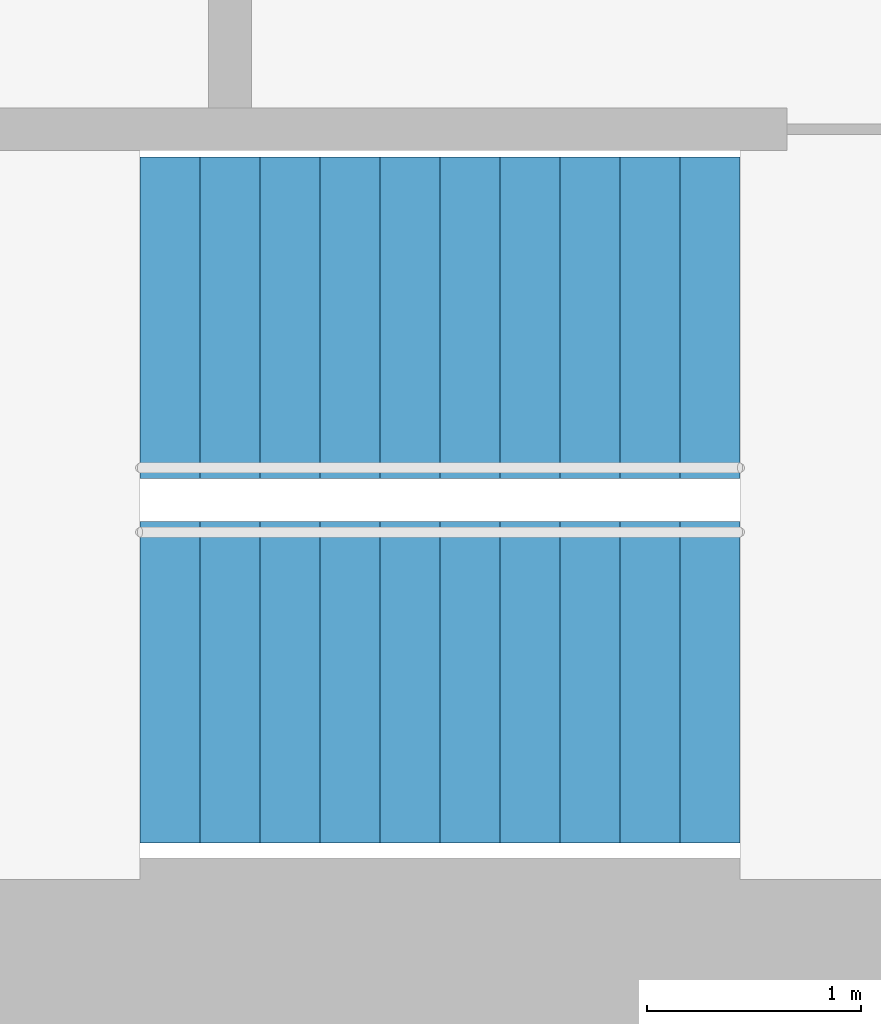
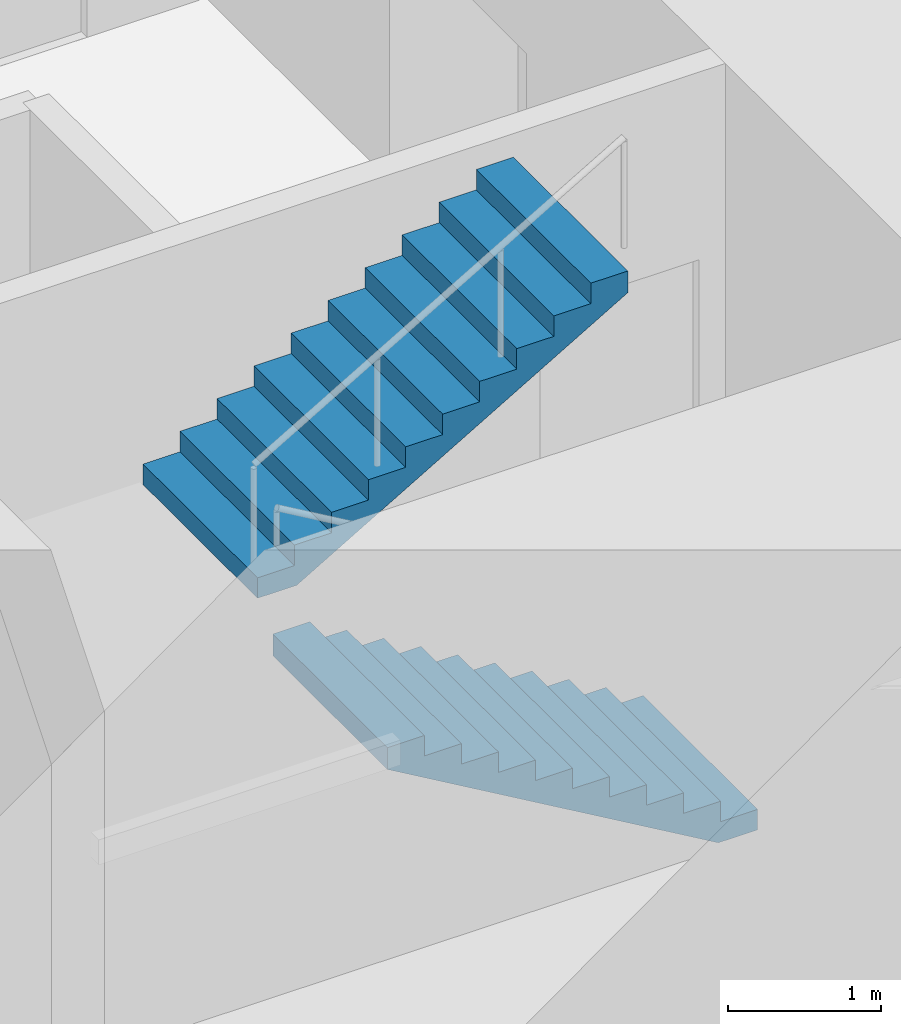
# One storey, part 14 of 15: 2 stair flights, 1 element without a shape of its own.
"""IFC4 building model written with IfcOpenShell, lengths in metres."""

from ifc_helpers import new_model, si_unit, direction, frame, origin, place, context, subcontext, project, spatial, triangles, material, type_object, element, aggregate, save


model = new_model("IFC4")

# Units and contexts
model_context = context("Model", 3, precision=1e-05, world=origin(), true_north=direction((0.0, 1.0)))
body_context = subcontext(model_context, "Body", "Model", "MODEL_VIEW")
ifc_project = project(units=[si_unit("LENGTHUNIT", "METRE"), si_unit("AREAUNIT", "SQUARE_METRE"), si_unit("VOLUMEUNIT", "CUBIC_METRE"), si_unit("PLANEANGLEUNIT", "RADIAN"), si_unit("MASSUNIT", "GRAM", prefix="KILO")], contexts=[model_context])

# Site, building, storey
site_placement = place(None, origin())
site = spatial("IfcSite", under=ifc_project, at=site_placement, CompositionType="ELEMENT")
building_placement = place(site_placement, origin())
building = spatial("IfcBuilding", under=site, at=building_placement, Name="Lantaw Convention Tower", CompositionType="ELEMENT")
storey_placement = place(building_placement, frame((0.0, 0.0, 83.800048828125)))
storey = spatial("IfcBuildingStorey", under=building, at=storey_placement, Name="L19", CompositionType="ELEMENT", Elevation=83.800048828125)

# Stair, stair flights
ifc_material = material(Name="Concrete C35/45", Category="concrete")
stair_type = type_object("IfcStairType", Name="Exit stair 1500 riser 163.64 in 2 flights", PredefinedType="HALF_TURN_STAIR", material=ifc_material)
stair_placement = place(storey_placement, origin())
stair = element("IfcStair", 1, at=stair_placement, inside=storey, type_object=stair_type, Name="Exit stair S2 L19", PredefinedType="HALF_TURN_STAIR")
stair_flight_type = type_object("IfcStairFlightType", Name="Stair flight 1500 riser 163.64", PredefinedType="STRAIGHT", material=ifc_material)
stair_flight_1_placement = place(storey_placement, frame((10.580078125, -5.97998046875, 0.0), z_axis=(0.0, 0.0, 1.0), x_axis=(-1.0, 0.0, 0.0)))
stair_flight_1 = element("IfcStairFlight", 2, at=stair_flight_1_placement, type_object=stair_flight_type, Name="S2 flight 1", NumberOfRisers=11, NumberOfTreads=10, PredefinedType="STRAIGHT", RiserHeight=0.163636364, TreadLength=0.28, context=body_context, shape_type="Tessellation", body=[
    triangles([(0.0, 0.75, 0.0), (0.0, 0.75, 0.163636364), (0.28, 0.75, 0.0), (0.28, 0.75, 0.163636364), (0.28, 0.75, 0.327272728), (0.2970904571225277, 0.75, 0.0), (0.2970904571225277, 0.75, 0.327272728), (0.56, 0.75, 0.1536484344906131), (0.56, 0.75, 0.327272728), (0.56, 0.75, 0.490909092), (0.8400000000000001, 0.75, 0.3172847984906131), (0.8400000000000001, 0.75, 0.490909092), (0.8400000000000001, 0.75, 0.654545456), (1.12, 0.75, 0.4809211624906131), (1.12, 0.75, 0.654545456), (1.12, 0.75, 0.8181818200000001), (1.4000000000000001, 0.75, 0.6445575264906132), (1.4000000000000001, 0.75, 0.8181818200000001), (1.4000000000000001, 0.75, 0.981818184), (1.6800000000000002, 0.75, 0.8081938904906131), (1.6800000000000002, 0.75, 0.981818184), (1.6800000000000002, 0.75, 1.145454548), (1.9600000000000002, 0.75, 0.9718302544906131), (1.9600000000000002, 0.75, 1.145454548), (1.9600000000000002, 0.75, 1.309090912), (2.24, 0.75, 1.135466618490613), (2.24, 0.75, 1.309090912), (2.24, 0.75, 1.472727276), (2.5200000000000005, 0.75, 1.2991029824906133), (2.5200000000000005, 0.75, 1.472727276), (2.5200000000000005, 0.75, 1.6363636400000001), (2.8000000000000003, 0.75, 1.462739346490613), (2.8000000000000003, 0.75, 1.6363636400000001), (0.0, -0.75, 0.0), (0.0, -0.75, 0.163636364), (0.28, -0.75, 0.0), (0.28, -0.75, 0.163636364), (0.28, -0.75, 0.327272728), (0.2970904571225277, -0.75, 0.0), (0.2970904571225277, -0.75, 0.327272728), (0.56, -0.75, 0.1536484344906131), (0.56, -0.75, 0.327272728), (0.56, -0.75, 0.490909092), (0.8400000000000001, -0.75, 0.3172847984906131), (0.8400000000000001, -0.75, 0.490909092), (0.8400000000000001, -0.75, 0.654545456), (1.12, -0.75, 0.4809211624906131), (1.12, -0.75, 0.654545456), (1.12, -0.75, 0.8181818200000001), (1.4000000000000001, -0.75, 0.6445575264906132), (1.4000000000000001, -0.75, 0.8181818200000001), (1.4000000000000001, -0.75, 0.981818184), (1.6800000000000002, -0.75, 0.8081938904906131), (1.6800000000000002, -0.75, 0.981818184), (1.6800000000000002, -0.75, 1.145454548), (1.9600000000000002, -0.75, 0.9718302544906131), (1.9600000000000002, -0.75, 1.145454548), (1.9600000000000002, -0.75, 1.309090912), (2.24, -0.75, 1.135466618490613), (2.24, -0.75, 1.309090912), (2.24, -0.75, 1.472727276), (2.5200000000000005, -0.75, 1.2991029824906133), (2.5200000000000005, -0.75, 1.472727276), (2.5200000000000005, -0.75, 1.6363636400000001), (2.8000000000000003, -0.75, 1.462739346490613), (2.8000000000000003, -0.75, 1.6363636400000001), (0.0, 0.15000000000000002, 0.163636364), (0.0, 0.15000000000000002, 0.0), (0.0, 0.0, 0.163636364), (0.0, 0.0, 0.0), (0.0, -0.15000000000000002, 0.163636364), (0.0, -0.15000000000000002, 0.0), (0.28, 0.15000000000000002, 0.327272728), (0.28, 0.15000000000000002, 0.163636364), (0.28, 0.0, 0.327272728), (0.28, 0.0, 0.163636364), (0.28, -0.15000000000000002, 0.327272728), (0.28, -0.15000000000000002, 0.163636364), (0.56, 0.15000000000000002, 0.490909092), (0.56, 0.15000000000000002, 0.327272728), (0.56, 0.0, 0.490909092), (0.56, 0.0, 0.327272728), (0.56, -0.15000000000000002, 0.490909092), (0.56, -0.15000000000000002, 0.327272728), (0.8400000000000001, 0.15000000000000002, 0.654545456), (0.8400000000000001, 0.15000000000000002, 0.490909092), (0.8400000000000001, 0.0, 0.654545456), (0.8400000000000001, 0.0, 0.490909092), (0.8400000000000001, -0.15000000000000002, 0.654545456), (0.8400000000000001, -0.15000000000000002, 0.490909092), (1.12, 0.15000000000000002, 0.8181818200000001), (1.12, 0.15000000000000002, 0.654545456), (1.12, 0.0, 0.8181818200000001), (1.12, 0.0, 0.654545456), (1.12, -0.15000000000000002, 0.8181818200000001), (1.12, -0.15000000000000002, 0.654545456), (1.4000000000000001, 0.15000000000000002, 0.981818184), (1.4000000000000001, 0.15000000000000002, 0.8181818200000001), (1.4000000000000001, 0.0, 0.981818184), (1.4000000000000001, 0.0, 0.8181818200000001), (1.4000000000000001, -0.15000000000000002, 0.981818184), (1.4000000000000001, -0.15000000000000002, 0.8181818200000001), (1.6800000000000002, 0.15000000000000002, 1.145454548), (1.6800000000000002, 0.15000000000000002, 0.981818184), (1.6800000000000002, 0.0, 1.145454548), (1.6800000000000002, 0.0, 0.981818184), (1.6800000000000002, -0.15000000000000002, 1.145454548), (1.6800000000000002, -0.15000000000000002, 0.981818184), (1.9600000000000002, 0.15000000000000002, 1.309090912), (1.9600000000000002, 0.15000000000000002, 1.145454548), (1.9600000000000002, 0.0, 1.309090912), (1.9600000000000002, 0.0, 1.145454548), (1.9600000000000002, -0.15000000000000002, 1.309090912), (1.9600000000000002, -0.15000000000000002, 1.145454548), (2.24, 0.15000000000000002, 1.472727276), (2.24, 0.15000000000000002, 1.309090912), (2.24, 0.0, 1.472727276), (2.24, 0.0, 1.309090912), (2.24, -0.15000000000000002, 1.472727276), (2.24, -0.15000000000000002, 1.309090912), (2.5200000000000005, 0.15000000000000002, 1.6363636400000001), (2.5200000000000005, 0.15000000000000002, 1.472727276), (2.5200000000000005, 0.0, 1.6363636400000001), (2.5200000000000005, 0.0, 1.472727276), (2.5200000000000005, -0.15000000000000002, 1.6363636400000001), (2.5200000000000005, -0.15000000000000002, 1.472727276), (0.2970904571225277, 0.15000000000000002, 0.327272728), (0.2970904571225277, 0.0, 0.327272728), (0.2970904571225277, -0.15000000000000002, 0.327272728), (2.8000000000000003, 0.15000000000000002, 1.6363636400000001), (2.8000000000000003, 0.0, 1.6363636400000001), (2.8000000000000003, -0.15000000000000002, 1.6363636400000001), (2.8000000000000003, 0.15000000000000002, 1.462739346490613), (2.8000000000000003, 0.0, 1.462739346490613), (2.8000000000000003, -0.15000000000000002, 1.462739346490613), (2.5200000000000005, 0.15000000000000002, 1.2991029824906133), (2.5200000000000005, 0.0, 1.2991029824906133), (2.5200000000000005, -0.15000000000000002, 1.2991029824906133), (2.24, 0.15000000000000002, 1.135466618490613), (2.24, 0.0, 1.135466618490613), (2.24, -0.15000000000000002, 1.135466618490613), (1.9600000000000002, 0.15000000000000002, 0.9718302544906131), (1.9600000000000002, 0.0, 0.9718302544906131), (1.9600000000000002, -0.15000000000000002, 0.9718302544906131), (1.6800000000000002, 0.15000000000000002, 0.8081938904906131), (1.6800000000000002, 0.0, 0.8081938904906131), (1.6800000000000002, -0.15000000000000002, 0.8081938904906131), (1.4000000000000001, 0.15000000000000002, 0.6445575264906132), (1.4000000000000001, 0.0, 0.6445575264906132), (1.4000000000000001, -0.15000000000000002, 0.6445575264906132), (1.12, 0.15000000000000002, 0.4809211624906131), (1.12, 0.0, 0.4809211624906131), (1.12, -0.15000000000000002, 0.4809211624906131), (0.8400000000000001, 0.15000000000000002, 0.3172847984906131), (0.8400000000000001, 0.0, 0.3172847984906131), (0.8400000000000001, -0.15000000000000002, 0.3172847984906131), (0.56, 0.15000000000000002, 0.1536484344906131), (0.56, 0.0, 0.1536484344906131), (0.56, -0.15000000000000002, 0.1536484344906131), (0.2970904571225277, 0.15000000000000002, 0.0), (0.2970904571225277, 0.0, 0.0), (0.2970904571225277, -0.15000000000000002, 0.0), (0.28, 0.15000000000000002, 0.0), (0.28, 0.0, 0.0), (0.28, -0.15000000000000002, 0.0)], [[1, 4, 3], [1, 2, 4], [3, 4, 6], [4, 7, 6], [4, 5, 7], [6, 9, 8], [6, 7, 9], [8, 9, 11], [9, 12, 11], [9, 10, 12], [11, 12, 14], [12, 15, 14], [12, 13, 15], [14, 15, 17], [15, 18, 17], [15, 16, 18], [17, 18, 20], [18, 21, 20], [18, 19, 21], [20, 21, 23], [21, 24, 23], [21, 22, 24], [23, 24, 26], [24, 27, 26], [24, 25, 27], [26, 27, 29], [27, 30, 29], [27, 28, 30], [29, 30, 32], [30, 33, 32], [30, 31, 33], [34, 36, 37], [34, 37, 35], [36, 39, 37], [37, 39, 40], [37, 40, 38], [39, 41, 42], [39, 42, 40], [41, 44, 42], [42, 44, 45], [42, 45, 43], [44, 47, 45], [45, 47, 48], [45, 48, 46], [47, 50, 48], [48, 50, 51], [48, 51, 49], [50, 53, 51], [51, 53, 54], [51, 54, 52], [53, 56, 54], [54, 56, 57], [54, 57, 55], [56, 59, 57], [57, 59, 60], [57, 60, 58], [59, 62, 60], [60, 62, 63], [60, 63, 61], [62, 65, 63], [63, 65, 66], [63, 66, 64], [1, 67, 2], [1, 68, 67], [68, 69, 67], [68, 70, 69], [70, 71, 69], [70, 72, 71], [72, 35, 71], [72, 34, 35], [4, 73, 5], [4, 74, 73], [74, 75, 73], [74, 76, 75], [76, 77, 75], [76, 78, 77], [78, 38, 77], [78, 37, 38], [9, 79, 10], [9, 80, 79], [80, 81, 79], [80, 82, 81], [82, 83, 81], [82, 84, 83], [84, 43, 83], [84, 42, 43], [12, 85, 13], [12, 86, 85], [86, 87, 85], [86, 88, 87], [88, 89, 87], [88, 90, 89], [90, 46, 89], [90, 45, 46], [15, 91, 16], [15, 92, 91], [92, 93, 91], [92, 94, 93], [94, 95, 93], [94, 96, 95], [96, 49, 95], [96, 48, 49], [18, 97, 19], [18, 98, 97], [98, 99, 97], [98, 100, 99], [100, 101, 99], [100, 102, 101], [102, 52, 101], [102, 51, 52], [21, 103, 22], [21, 104, 103], [104, 105, 103], [104, 106, 105], [106, 107, 105], [106, 108, 107], [108, 55, 107], [108, 54, 55], [24, 109, 25], [24, 110, 109], [110, 111, 109], [110, 112, 111], [112, 113, 111], [112, 114, 113], [114, 58, 113], [114, 57, 58], [27, 115, 28], [27, 116, 115], [116, 117, 115], [116, 118, 117], [118, 119, 117], [118, 120, 119], [120, 61, 119], [120, 60, 61], [30, 121, 31], [30, 122, 121], [122, 123, 121], [122, 124, 123], [124, 125, 123], [124, 126, 125], [126, 64, 125], [126, 63, 64], [2, 74, 4], [2, 67, 74], [67, 76, 74], [67, 69, 76], [69, 78, 76], [69, 71, 78], [71, 37, 78], [71, 35, 37], [5, 127, 7], [5, 73, 127], [73, 128, 127], [73, 75, 128], [75, 129, 128], [75, 77, 129], [77, 40, 129], [77, 38, 40], [7, 80, 9], [7, 127, 80], [127, 82, 80], [127, 128, 82], [128, 84, 82], [128, 129, 84], [129, 42, 84], [129, 40, 42], [10, 86, 12], [10, 79, 86], [79, 88, 86], [79, 81, 88], [81, 90, 88], [81, 83, 90], [83, 45, 90], [83, 43, 45], [13, 92, 15], [13, 85, 92], [85, 94, 92], [85, 87, 94], [87, 96, 94], [87, 89, 96], [89, 48, 96], [89, 46, 48], [16, 98, 18], [16, 91, 98], [91, 100, 98], [91, 93, 100], [93, 102, 100], [93, 95, 102], [95, 51, 102], [95, 49, 51], [19, 104, 21], [19, 97, 104], [97, 106, 104], [97, 99, 106], [99, 108, 106], [99, 101, 108], [101, 54, 108], [101, 52, 54], [22, 110, 24], [22, 103, 110], [103, 112, 110], [103, 105, 112], [105, 114, 112], [105, 107, 114], [107, 57, 114], [107, 55, 57], [25, 116, 27], [25, 109, 116], [109, 118, 116], [109, 111, 118], [111, 120, 118], [111, 113, 120], [113, 60, 120], [113, 58, 60], [28, 122, 30], [28, 115, 122], [115, 124, 122], [115, 117, 124], [117, 126, 124], [117, 119, 126], [119, 63, 126], [119, 61, 63], [31, 130, 33], [31, 121, 130], [121, 131, 130], [121, 123, 131], [123, 132, 131], [123, 125, 132], [125, 66, 132], [125, 64, 66], [33, 133, 32], [33, 130, 133], [130, 134, 133], [130, 131, 134], [131, 135, 134], [131, 132, 135], [132, 65, 135], [132, 66, 65], [32, 136, 29], [32, 133, 136], [133, 137, 136], [133, 134, 137], [134, 138, 137], [134, 135, 138], [135, 62, 138], [135, 65, 62], [29, 139, 26], [29, 136, 139], [136, 140, 139], [136, 137, 140], [137, 141, 140], [137, 138, 141], [138, 59, 141], [138, 62, 59], [26, 142, 23], [26, 139, 142], [139, 143, 142], [139, 140, 143], [140, 144, 143], [140, 141, 144], [141, 56, 144], [141, 59, 56], [23, 145, 20], [23, 142, 145], [142, 146, 145], [142, 143, 146], [143, 147, 146], [143, 144, 147], [144, 53, 147], [144, 56, 53], [20, 148, 17], [20, 145, 148], [145, 149, 148], [145, 146, 149], [146, 150, 149], [146, 147, 150], [147, 50, 150], [147, 53, 50], [17, 151, 14], [17, 148, 151], [148, 152, 151], [148, 149, 152], [149, 153, 152], [149, 150, 153], [150, 47, 153], [150, 50, 47], [14, 154, 11], [14, 151, 154], [151, 155, 154], [151, 152, 155], [152, 156, 155], [152, 153, 156], [153, 44, 156], [153, 47, 44], [11, 157, 8], [11, 154, 157], [154, 158, 157], [154, 155, 158], [155, 159, 158], [155, 156, 159], [156, 41, 159], [156, 44, 41], [8, 160, 6], [8, 157, 160], [157, 161, 160], [157, 158, 161], [158, 162, 161], [158, 159, 162], [159, 39, 162], [159, 41, 39], [6, 163, 3], [6, 160, 163], [160, 164, 163], [160, 161, 164], [161, 165, 164], [161, 162, 165], [162, 36, 165], [162, 39, 36], [3, 68, 1], [3, 163, 68], [163, 70, 68], [163, 164, 70], [164, 72, 70], [164, 165, 72], [165, 34, 72], [165, 36, 34]], closed=True),
])
stair_flight_2_placement = place(storey_placement, frame((7.780029296875, -4.280029296875, 1.800048828125), z_axis=(0.0, 0.0, 1.0), x_axis=(1.0, 0.0, 0.0)))
stair_flight_2 = element("IfcStairFlight", 3, at=stair_flight_2_placement, type_object=stair_flight_type, Name="S2 flight 2", NumberOfRisers=11, NumberOfTreads=10, PredefinedType="STRAIGHT", RiserHeight=0.163636364, TreadLength=0.28, context=body_context, shape_type="Tessellation", body=[
    triangles([(0.0, 0.75, 0.0), (0.0, 0.75, 0.163636364), (0.28, 0.75, 0.0), (0.28, 0.75, 0.163636364), (0.28, 0.75, 0.327272728), (0.2970904571225277, 0.75, 0.0), (0.2970904571225277, 0.75, 0.327272728), (0.56, 0.75, 0.1536484344906131), (0.56, 0.75, 0.327272728), (0.56, 0.75, 0.490909092), (0.8400000000000001, 0.75, 0.3172847984906131), (0.8400000000000001, 0.75, 0.490909092), (0.8400000000000001, 0.75, 0.654545456), (1.12, 0.75, 0.4809211624906131), (1.12, 0.75, 0.654545456), (1.12, 0.75, 0.8181818200000001), (1.4000000000000001, 0.75, 0.6445575264906132), (1.4000000000000001, 0.75, 0.8181818200000001), (1.4000000000000001, 0.75, 0.981818184), (1.6800000000000002, 0.75, 0.8081938904906131), (1.6800000000000002, 0.75, 0.981818184), (1.6800000000000002, 0.75, 1.145454548), (1.9600000000000002, 0.75, 0.9718302544906131), (1.9600000000000002, 0.75, 1.145454548), (1.9600000000000002, 0.75, 1.309090912), (2.24, 0.75, 1.135466618490613), (2.24, 0.75, 1.309090912), (2.24, 0.75, 1.472727276), (2.5200000000000005, 0.75, 1.2991029824906133), (2.5200000000000005, 0.75, 1.472727276), (2.5200000000000005, 0.75, 1.6363636400000001), (2.8000000000000003, 0.75, 1.462739346490613), (2.8000000000000003, 0.75, 1.6363636400000001), (0.0, -0.75, 0.0), (0.0, -0.75, 0.163636364), (0.28, -0.75, 0.0), (0.28, -0.75, 0.163636364), (0.28, -0.75, 0.327272728), (0.2970904571225277, -0.75, 0.0), (0.2970904571225277, -0.75, 0.327272728), (0.56, -0.75, 0.1536484344906131), (0.56, -0.75, 0.327272728), (0.56, -0.75, 0.490909092), (0.8400000000000001, -0.75, 0.3172847984906131), (0.8400000000000001, -0.75, 0.490909092), (0.8400000000000001, -0.75, 0.654545456), (1.12, -0.75, 0.4809211624906131), (1.12, -0.75, 0.654545456), (1.12, -0.75, 0.8181818200000001), (1.4000000000000001, -0.75, 0.6445575264906132), (1.4000000000000001, -0.75, 0.8181818200000001), (1.4000000000000001, -0.75, 0.981818184), (1.6800000000000002, -0.75, 0.8081938904906131), (1.6800000000000002, -0.75, 0.981818184), (1.6800000000000002, -0.75, 1.145454548), (1.9600000000000002, -0.75, 0.9718302544906131), (1.9600000000000002, -0.75, 1.145454548), (1.9600000000000002, -0.75, 1.309090912), (2.24, -0.75, 1.135466618490613), (2.24, -0.75, 1.309090912), (2.24, -0.75, 1.472727276), (2.5200000000000005, -0.75, 1.2991029824906133), (2.5200000000000005, -0.75, 1.472727276), (2.5200000000000005, -0.75, 1.6363636400000001), (2.8000000000000003, -0.75, 1.462739346490613), (2.8000000000000003, -0.75, 1.6363636400000001), (0.0, 0.15000000000000002, 0.163636364), (0.0, 0.15000000000000002, 0.0), (0.0, 0.0, 0.163636364), (0.0, 0.0, 0.0), (0.0, -0.15000000000000002, 0.163636364), (0.0, -0.15000000000000002, 0.0), (0.28, 0.15000000000000002, 0.327272728), (0.28, 0.15000000000000002, 0.163636364), (0.28, 0.0, 0.327272728), (0.28, 0.0, 0.163636364), (0.28, -0.15000000000000002, 0.327272728), (0.28, -0.15000000000000002, 0.163636364), (0.56, 0.15000000000000002, 0.490909092), (0.56, 0.15000000000000002, 0.327272728), (0.56, 0.0, 0.490909092), (0.56, 0.0, 0.327272728), (0.56, -0.15000000000000002, 0.490909092), (0.56, -0.15000000000000002, 0.327272728), (0.8400000000000001, 0.15000000000000002, 0.654545456), (0.8400000000000001, 0.15000000000000002, 0.490909092), (0.8400000000000001, 0.0, 0.654545456), (0.8400000000000001, 0.0, 0.490909092), (0.8400000000000001, -0.15000000000000002, 0.654545456), (0.8400000000000001, -0.15000000000000002, 0.490909092), (1.12, 0.15000000000000002, 0.8181818200000001), (1.12, 0.15000000000000002, 0.654545456), (1.12, 0.0, 0.8181818200000001), (1.12, 0.0, 0.654545456), (1.12, -0.15000000000000002, 0.8181818200000001), (1.12, -0.15000000000000002, 0.654545456), (1.4000000000000001, 0.15000000000000002, 0.981818184), (1.4000000000000001, 0.15000000000000002, 0.8181818200000001), (1.4000000000000001, 0.0, 0.981818184), (1.4000000000000001, 0.0, 0.8181818200000001), (1.4000000000000001, -0.15000000000000002, 0.981818184), (1.4000000000000001, -0.15000000000000002, 0.8181818200000001), (1.6800000000000002, 0.15000000000000002, 1.145454548), (1.6800000000000002, 0.15000000000000002, 0.981818184), (1.6800000000000002, 0.0, 1.145454548), (1.6800000000000002, 0.0, 0.981818184), (1.6800000000000002, -0.15000000000000002, 1.145454548), (1.6800000000000002, -0.15000000000000002, 0.981818184), (1.9600000000000002, 0.15000000000000002, 1.309090912), (1.9600000000000002, 0.15000000000000002, 1.145454548), (1.9600000000000002, 0.0, 1.309090912), (1.9600000000000002, 0.0, 1.145454548), (1.9600000000000002, -0.15000000000000002, 1.309090912), (1.9600000000000002, -0.15000000000000002, 1.145454548), (2.24, 0.15000000000000002, 1.472727276), (2.24, 0.15000000000000002, 1.309090912), (2.24, 0.0, 1.472727276), (2.24, 0.0, 1.309090912), (2.24, -0.15000000000000002, 1.472727276), (2.24, -0.15000000000000002, 1.309090912), (2.5200000000000005, 0.15000000000000002, 1.6363636400000001), (2.5200000000000005, 0.15000000000000002, 1.472727276), (2.5200000000000005, 0.0, 1.6363636400000001), (2.5200000000000005, 0.0, 1.472727276), (2.5200000000000005, -0.15000000000000002, 1.6363636400000001), (2.5200000000000005, -0.15000000000000002, 1.472727276), (0.2970904571225277, 0.15000000000000002, 0.327272728), (0.2970904571225277, 0.0, 0.327272728), (0.2970904571225277, -0.15000000000000002, 0.327272728), (2.8000000000000003, 0.15000000000000002, 1.6363636400000001), (2.8000000000000003, 0.0, 1.6363636400000001), (2.8000000000000003, -0.15000000000000002, 1.6363636400000001), (2.8000000000000003, 0.15000000000000002, 1.462739346490613), (2.8000000000000003, 0.0, 1.462739346490613), (2.8000000000000003, -0.15000000000000002, 1.462739346490613), (2.5200000000000005, 0.15000000000000002, 1.2991029824906133), (2.5200000000000005, 0.0, 1.2991029824906133), (2.5200000000000005, -0.15000000000000002, 1.2991029824906133), (2.24, 0.15000000000000002, 1.135466618490613), (2.24, 0.0, 1.135466618490613), (2.24, -0.15000000000000002, 1.135466618490613), (1.9600000000000002, 0.15000000000000002, 0.9718302544906131), (1.9600000000000002, 0.0, 0.9718302544906131), (1.9600000000000002, -0.15000000000000002, 0.9718302544906131), (1.6800000000000002, 0.15000000000000002, 0.8081938904906131), (1.6800000000000002, 0.0, 0.8081938904906131), (1.6800000000000002, -0.15000000000000002, 0.8081938904906131), (1.4000000000000001, 0.15000000000000002, 0.6445575264906132), (1.4000000000000001, 0.0, 0.6445575264906132), (1.4000000000000001, -0.15000000000000002, 0.6445575264906132), (1.12, 0.15000000000000002, 0.4809211624906131), (1.12, 0.0, 0.4809211624906131), (1.12, -0.15000000000000002, 0.4809211624906131), (0.8400000000000001, 0.15000000000000002, 0.3172847984906131), (0.8400000000000001, 0.0, 0.3172847984906131), (0.8400000000000001, -0.15000000000000002, 0.3172847984906131), (0.56, 0.15000000000000002, 0.1536484344906131), (0.56, 0.0, 0.1536484344906131), (0.56, -0.15000000000000002, 0.1536484344906131), (0.2970904571225277, 0.15000000000000002, 0.0), (0.2970904571225277, 0.0, 0.0), (0.2970904571225277, -0.15000000000000002, 0.0), (0.28, 0.15000000000000002, 0.0), (0.28, 0.0, 0.0), (0.28, -0.15000000000000002, 0.0)], [[1, 4, 3], [1, 2, 4], [3, 4, 6], [4, 7, 6], [4, 5, 7], [6, 9, 8], [6, 7, 9], [8, 9, 11], [9, 12, 11], [9, 10, 12], [11, 12, 14], [12, 15, 14], [12, 13, 15], [14, 15, 17], [15, 18, 17], [15, 16, 18], [17, 18, 20], [18, 21, 20], [18, 19, 21], [20, 21, 23], [21, 24, 23], [21, 22, 24], [23, 24, 26], [24, 27, 26], [24, 25, 27], [26, 27, 29], [27, 30, 29], [27, 28, 30], [29, 30, 32], [30, 33, 32], [30, 31, 33], [34, 36, 37], [34, 37, 35], [36, 39, 37], [37, 39, 40], [37, 40, 38], [39, 41, 42], [39, 42, 40], [41, 44, 42], [42, 44, 45], [42, 45, 43], [44, 47, 45], [45, 47, 48], [45, 48, 46], [47, 50, 48], [48, 50, 51], [48, 51, 49], [50, 53, 51], [51, 53, 54], [51, 54, 52], [53, 56, 54], [54, 56, 57], [54, 57, 55], [56, 59, 57], [57, 59, 60], [57, 60, 58], [59, 62, 60], [60, 62, 63], [60, 63, 61], [62, 65, 63], [63, 65, 66], [63, 66, 64], [1, 67, 2], [1, 68, 67], [68, 69, 67], [68, 70, 69], [70, 71, 69], [70, 72, 71], [72, 35, 71], [72, 34, 35], [4, 73, 5], [4, 74, 73], [74, 75, 73], [74, 76, 75], [76, 77, 75], [76, 78, 77], [78, 38, 77], [78, 37, 38], [9, 79, 10], [9, 80, 79], [80, 81, 79], [80, 82, 81], [82, 83, 81], [82, 84, 83], [84, 43, 83], [84, 42, 43], [12, 85, 13], [12, 86, 85], [86, 87, 85], [86, 88, 87], [88, 89, 87], [88, 90, 89], [90, 46, 89], [90, 45, 46], [15, 91, 16], [15, 92, 91], [92, 93, 91], [92, 94, 93], [94, 95, 93], [94, 96, 95], [96, 49, 95], [96, 48, 49], [18, 97, 19], [18, 98, 97], [98, 99, 97], [98, 100, 99], [100, 101, 99], [100, 102, 101], [102, 52, 101], [102, 51, 52], [21, 103, 22], [21, 104, 103], [104, 105, 103], [104, 106, 105], [106, 107, 105], [106, 108, 107], [108, 55, 107], [108, 54, 55], [24, 109, 25], [24, 110, 109], [110, 111, 109], [110, 112, 111], [112, 113, 111], [112, 114, 113], [114, 58, 113], [114, 57, 58], [27, 115, 28], [27, 116, 115], [116, 117, 115], [116, 118, 117], [118, 119, 117], [118, 120, 119], [120, 61, 119], [120, 60, 61], [30, 121, 31], [30, 122, 121], [122, 123, 121], [122, 124, 123], [124, 125, 123], [124, 126, 125], [126, 64, 125], [126, 63, 64], [2, 74, 4], [2, 67, 74], [67, 76, 74], [67, 69, 76], [69, 78, 76], [69, 71, 78], [71, 37, 78], [71, 35, 37], [5, 127, 7], [5, 73, 127], [73, 128, 127], [73, 75, 128], [75, 129, 128], [75, 77, 129], [77, 40, 129], [77, 38, 40], [7, 80, 9], [7, 127, 80], [127, 82, 80], [127, 128, 82], [128, 84, 82], [128, 129, 84], [129, 42, 84], [129, 40, 42], [10, 86, 12], [10, 79, 86], [79, 88, 86], [79, 81, 88], [81, 90, 88], [81, 83, 90], [83, 45, 90], [83, 43, 45], [13, 92, 15], [13, 85, 92], [85, 94, 92], [85, 87, 94], [87, 96, 94], [87, 89, 96], [89, 48, 96], [89, 46, 48], [16, 98, 18], [16, 91, 98], [91, 100, 98], [91, 93, 100], [93, 102, 100], [93, 95, 102], [95, 51, 102], [95, 49, 51], [19, 104, 21], [19, 97, 104], [97, 106, 104], [97, 99, 106], [99, 108, 106], [99, 101, 108], [101, 54, 108], [101, 52, 54], [22, 110, 24], [22, 103, 110], [103, 112, 110], [103, 105, 112], [105, 114, 112], [105, 107, 114], [107, 57, 114], [107, 55, 57], [25, 116, 27], [25, 109, 116], [109, 118, 116], [109, 111, 118], [111, 120, 118], [111, 113, 120], [113, 60, 120], [113, 58, 60], [28, 122, 30], [28, 115, 122], [115, 124, 122], [115, 117, 124], [117, 126, 124], [117, 119, 126], [119, 63, 126], [119, 61, 63], [31, 130, 33], [31, 121, 130], [121, 131, 130], [121, 123, 131], [123, 132, 131], [123, 125, 132], [125, 66, 132], [125, 64, 66], [33, 133, 32], [33, 130, 133], [130, 134, 133], [130, 131, 134], [131, 135, 134], [131, 132, 135], [132, 65, 135], [132, 66, 65], [32, 136, 29], [32, 133, 136], [133, 137, 136], [133, 134, 137], [134, 138, 137], [134, 135, 138], [135, 62, 138], [135, 65, 62], [29, 139, 26], [29, 136, 139], [136, 140, 139], [136, 137, 140], [137, 141, 140], [137, 138, 141], [138, 59, 141], [138, 62, 59], [26, 142, 23], [26, 139, 142], [139, 143, 142], [139, 140, 143], [140, 144, 143], [140, 141, 144], [141, 56, 144], [141, 59, 56], [23, 145, 20], [23, 142, 145], [142, 146, 145], [142, 143, 146], [143, 147, 146], [143, 144, 147], [144, 53, 147], [144, 56, 53], [20, 148, 17], [20, 145, 148], [145, 149, 148], [145, 146, 149], [146, 150, 149], [146, 147, 150], [147, 50, 150], [147, 53, 50], [17, 151, 14], [17, 148, 151], [148, 152, 151], [148, 149, 152], [149, 153, 152], [149, 150, 153], [150, 47, 153], [150, 50, 47], [14, 154, 11], [14, 151, 154], [151, 155, 154], [151, 152, 155], [152, 156, 155], [152, 153, 156], [153, 44, 156], [153, 47, 44], [11, 157, 8], [11, 154, 157], [154, 158, 157], [154, 155, 158], [155, 159, 158], [155, 156, 159], [156, 41, 159], [156, 44, 41], [8, 160, 6], [8, 157, 160], [157, 161, 160], [157, 158, 161], [158, 162, 161], [158, 159, 162], [159, 39, 162], [159, 41, 39], [6, 163, 3], [6, 160, 163], [160, 164, 163], [160, 161, 164], [161, 165, 164], [161, 162, 165], [162, 36, 165], [162, 39, 36], [3, 68, 1], [3, 163, 68], [163, 70, 68], [163, 164, 70], [164, 72, 70], [164, 165, 72], [165, 34, 72], [165, 36, 34]], closed=True),
])
aggregate(stair, [stair_flight_1, stair_flight_2])

save(model, "model.ifc")
